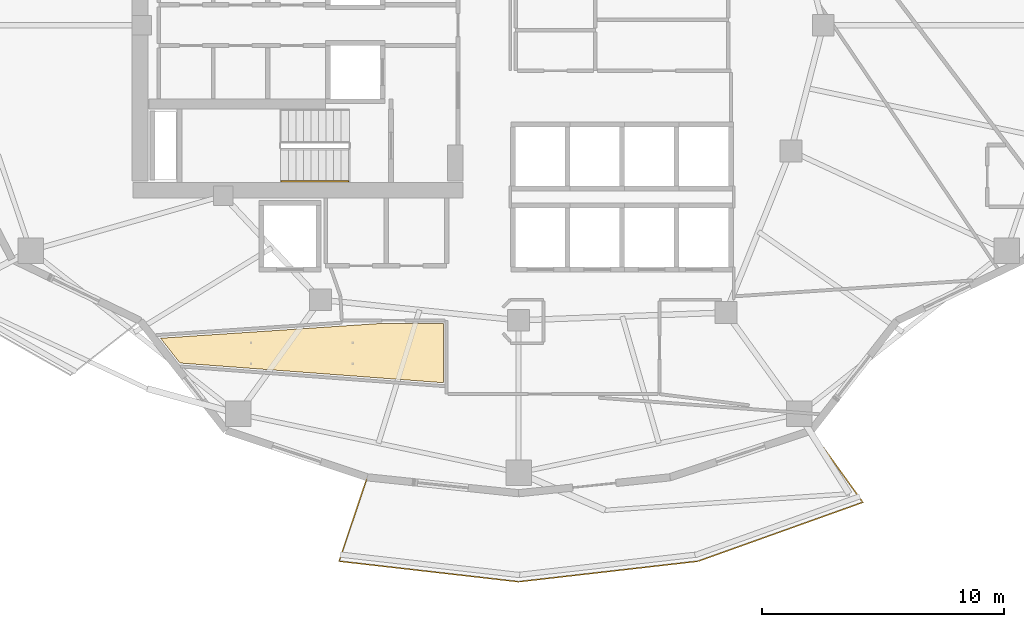
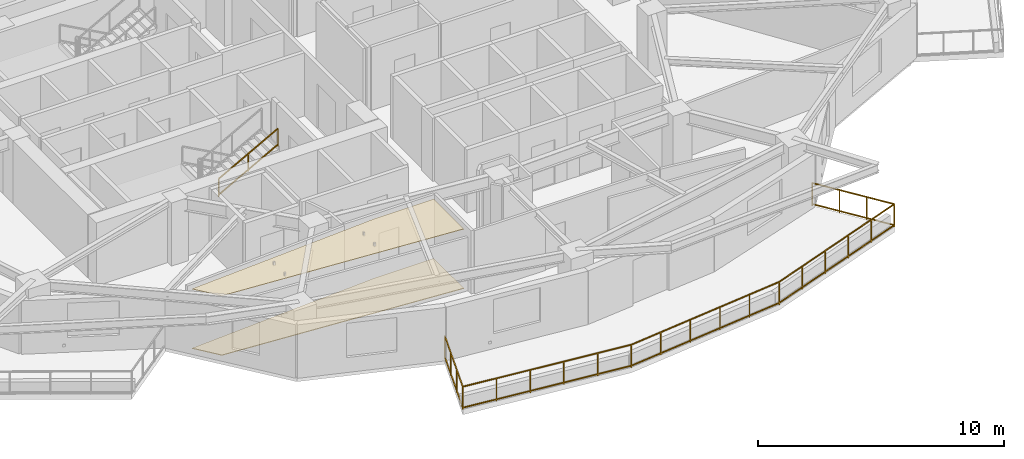
# One storey, part 13 of 17: 2 coverings, 2 railings.
"""IFC4 building model written with IfcOpenShell, lengths in metres."""

from ifc_helpers import new_model, si_unit, direction, frame, origin, origin_2d, place, context, subcontext, project, spatial, polyline, rectangle, outline, extrude, material, layer, layer_set, type_object, element, save


model = new_model("IFC4")

# Units and contexts
model_context = context("Model", 3, precision=1e-05, world=origin(), true_north=direction((0.0, 1.0)))
body_context = subcontext(model_context, "Body", "Model", "MODEL_VIEW")
ifc_project = project(units=[si_unit("LENGTHUNIT", "METRE"), si_unit("AREAUNIT", "SQUARE_METRE"), si_unit("VOLUMEUNIT", "CUBIC_METRE"), si_unit("PLANEANGLEUNIT", "RADIAN"), si_unit("MASSUNIT", "GRAM", prefix="KILO")], contexts=[model_context])

# Site, building, storey
site_placement = place(None, origin())
site = spatial("IfcSite", under=ifc_project, at=site_placement, CompositionType="ELEMENT")
building_placement = place(site_placement, origin())
building = spatial("IfcBuilding", under=site, at=building_placement, Name="Kolvaren Gate Tower and Convention Centre", CompositionType="ELEMENT")
storey_placement = place(building_placement, frame((0.0, 0.0, 125.699951171875)))
storey = spatial("IfcBuildingStorey", under=building, at=storey_placement, Name="L31", CompositionType="ELEMENT", Elevation=125.699951171875)

# Coverings
ifc_material_1 = material(Name="Perforated Mineral-Fibre Acoustic Ceiling Tile 24 mm", Category="gypsum")
ifc_layer_1 = layer(ifc_material_1, 0.02392578125)
ifc_layer_set_1 = layer_set([ifc_layer_1], Name="Perforated Mineral-Fibre Acoustic Ceiling Tile 24 mm")
covering_type_1 = type_object("IfcCoveringType", Name="ARCH-COV-CEIL-24", PredefinedType="CEILING", material=ifc_layer_set_1)
covering_1_placement = place(storey_placement, frame((0.0, 0.0, 2.949951171875)))
element("IfcCovering", 1, at=covering_1_placement, inside=storey, type_object=covering_type_1, Name="Executive Seminar Conference Room Acoustic Suspended Ceiling", PredefinedType="CEILING", context=body_context, shape_type="SweptSolid", body=[
    extrude(outline(polyline([(16.1259765625, 13.032958984375), (15.322021484375, 14.06005859375), (24.277099609375, 14.659912109375), (27.010009765625, 14.659912109375), (27.010009765625, 12.219970703125), (16.1259765625, 13.032958984375)])), origin(), (0.0, 0.0, 1.0), 0.024169921875),
])
ifc_material_2 = material(Name="Honed Sabana Limestone Terrazzo Flooring 30 mm", Category="masonry")
ifc_layer_2 = layer(ifc_material_2, 0.030029296875)
ifc_layer_set_2 = layer_set([ifc_layer_2], Name="Honed Sabana Limestone Terrazzo Flooring 30 mm")
covering_type_2 = type_object("IfcCoveringType", Name="ARCH-COV-FLR-30", PredefinedType="FLOORING", material=ifc_layer_set_2)
covering_2_placement = place(storey_placement, origin())
element("IfcCovering", 2, at=covering_2_placement, inside=storey, type_object=covering_type_2, Name="Executive Seminar Conference Room Interior Finish Flooring", PredefinedType="FLOORING", context=body_context, shape_type="SweptSolid", body=[
    extrude(outline(polyline([(16.1259765625, 13.032958984375), (15.322021484375, 14.06005859375), (24.277099609375, 14.659912109375), (27.010009765625, 14.659912109375), (27.010009765625, 12.219970703125), (16.1259765625, 13.032958984375)])), origin(), (0.0, 0.0, 1.0), 0.030029296875),
])

# Railings
ifc_material_3 = material(Name="Brushed Stainless Steel Grade 316L", Category="steel")
railing_type_1 = type_object("IfcRailingType", Name="ARCH-RL-GUARD-1150", PredefinedType="GUARDRAIL", material=ifc_material_3)
railing_1_placement = place(storey_placement, frame((23.86474609375, 8.309326171875, 0.0)))
element("IfcRailing", 3, at=railing_1_placement, inside=storey, type_object=railing_type_1, Name="Tower L31 Terrace Perimeter Guardrail GR-3", PredefinedType="GUARDRAIL", context=body_context, shape_type="SweptSolid", body=[
    extrude(rectangle(XDim=0.048095703125, YDim=0.048095703125, at=origin_2d()), frame((-0.0087890625, -0.026611328125, 1.1259765625), z_axis=(-0.317588247294, -0.948228719867, 0.0), x_axis=(0.948228719867, -0.317588247294, 0.0)), (0.0, 0.0, 1.0), 3.603759765625),
    extrude(rectangle(XDim=0.048095703125, YDim=0.048095703125, at=origin_2d()), frame((-0.0087890625, -0.026611328125, 0.083984375), z_axis=(-0.317588247294, -0.948228719867, 0.0), x_axis=(0.948228719867, -0.317588247294, 0.0)), (0.0, 0.0, 1.0), 3.603759765625),
    extrude(rectangle(XDim=0.048095703125, YDim=0.048095703125, at=origin_2d()), frame((-1.134521484375, -3.4736328125, 1.1259765625), z_axis=(0.993523927361, -0.113623086387, 0.0), x_axis=(0.113623086387, 0.993523927361, 0.0)), (0.0, 0.0, 1.0), 7.414794921875),
    extrude(rectangle(XDim=0.048095703125, YDim=0.048095703125, at=origin_2d()), frame((-1.134521484375, -3.4736328125, 0.083984375), z_axis=(0.993523927361, -0.113623086387, 0.0), x_axis=(0.113623086387, 0.993523927361, 0.0)), (0.0, 0.0, 1.0), 7.414794921875),
    extrude(rectangle(XDim=0.048095703125, YDim=0.048095703125, at=origin_2d()), frame((6.2880859375, -4.316162109375, 1.1259765625), z_axis=(0.993523927361, 0.113623086387, 0.0), x_axis=(-0.113623086387, 0.993523927361, 0.0)), (0.0, 0.0, 1.0), 7.414794921875),
    extrude(rectangle(XDim=0.048095703125, YDim=0.048095703125, at=origin_2d()), frame((6.2880859375, -4.316162109375, 0.083984375), z_axis=(0.993523927361, 0.113623086387, 0.0), x_axis=(-0.113623086387, 0.993523927361, 0.0)), (0.0, 0.0, 1.0), 7.414794921875),
    extrude(rectangle(XDim=0.048095703125, YDim=0.048095703125, at=origin_2d()), frame((13.709228515625, -3.4609375, 1.1259765625), z_axis=(0.941628873241, 0.336652736627, 0.0), x_axis=(-0.336652736627, 0.941628873241, 0.0)), (0.0, 0.0, 1.0), 7.17919921875),
    extrude(rectangle(XDim=0.048095703125, YDim=0.048095703125, at=origin_2d()), frame((13.709228515625, -3.4609375, 0.083984375), z_axis=(0.941628873241, 0.336652736627, 0.0), x_axis=(-0.336652736627, 0.941628873241, 0.0)), (0.0, 0.0, 1.0), 7.17919921875),
    extrude(rectangle(XDim=0.048095703125, YDim=0.048095703125, at=origin_2d()), frame((20.4794921875, -1.011962890625, 1.1259765625), z_axis=(-0.585212870465, 0.810879705161, 0.0), x_axis=(-0.810879705161, -0.585212870465, 0.0)), (0.0, 0.0, 1.0), 3.603759765625),
    extrude(rectangle(XDim=0.048095703125, YDim=0.048095703125, at=origin_2d()), frame((20.4794921875, -1.011962890625, 0.083984375), z_axis=(-0.585212870465, 0.810879705161, 0.0), x_axis=(-0.810879705161, -0.585212870465, 0.0)), (0.0, 0.0, 1.0), 3.603759765625),
    extrude(rectangle(XDim=0.0419921875, YDim=0.0419921875, at=origin_2d()), origin(), (0.0, 0.0, 1.0), 1.14990234375),
    extrude(rectangle(XDim=0.0419921875, YDim=0.0419921875, at=origin_2d()), frame((-1.162353515625, -3.470458984375, 0.0)), (0.0, 0.0, 1.0), 1.14990234375),
    extrude(rectangle(XDim=0.0419921875, YDim=0.0419921875, at=origin_2d()), frame((-0.387451171875, -1.15673828125, 0.0)), (0.0, 0.0, 1.0), 1.099853515625),
    extrude(rectangle(XDim=0.0419921875, YDim=0.0419921875, at=origin_2d()), frame((-0.77490234375, -2.313720703125, 0.0)), (0.0, 0.0, 1.0), 1.099853515625),
    extrude(rectangle(XDim=0.0419921875, YDim=0.0419921875, at=origin_2d()), frame((6.26025390625, -4.3193359375, 0.0)), (0.0, 0.0, 1.0), 1.14990234375),
    extrude(rectangle(XDim=0.0419921875, YDim=0.0419921875, at=origin_2d()), frame((0.322265625, -3.64013671875, 0.0)), (0.0, 0.0, 1.0), 1.099853515625),
    extrude(rectangle(XDim=0.0419921875, YDim=0.0419921875, at=origin_2d()), frame((1.806640625, -3.81005859375, 0.0)), (0.0, 0.0, 1.0), 1.099853515625),
    extrude(rectangle(XDim=0.0419921875, YDim=0.0419921875, at=origin_2d()), frame((3.291259765625, -3.979736328125, 0.0)), (0.0, 0.0, 1.0), 1.099853515625),
    extrude(rectangle(XDim=0.0419921875, YDim=0.0419921875, at=origin_2d()), frame((4.775634765625, -4.149658203125, 0.0)), (0.0, 0.0, 1.0), 1.099853515625),
    extrude(rectangle(XDim=0.0419921875, YDim=0.0419921875, at=origin_2d()), frame((13.682861328125, -3.470458984375, 0.0)), (0.0, 0.0, 1.0), 1.14990234375),
    extrude(rectangle(XDim=0.0419921875, YDim=0.0419921875, at=origin_2d()), frame((7.744873046875, -4.149658203125, 0.0)), (0.0, 0.0, 1.0), 1.099853515625),
    extrude(rectangle(XDim=0.0419921875, YDim=0.0419921875, at=origin_2d()), frame((9.229248046875, -3.979736328125, 0.0)), (0.0, 0.0, 1.0), 1.099853515625),
    extrude(rectangle(XDim=0.0419921875, YDim=0.0419921875, at=origin_2d()), frame((10.7138671875, -3.81005859375, 0.0)), (0.0, 0.0, 1.0), 1.099853515625),
    extrude(rectangle(XDim=0.0419921875, YDim=0.0419921875, at=origin_2d()), frame((12.1982421875, -3.64013671875, 0.0)), (0.0, 0.0, 1.0), 1.099853515625),
    extrude(rectangle(XDim=0.0419921875, YDim=0.0419921875, at=origin_2d()), frame((20.495849609375, -1.03466796875, 0.0)), (0.0, 0.0, 1.0), 1.14990234375),
    extrude(rectangle(XDim=0.0419921875, YDim=0.0419921875, at=origin_2d()), frame((15.04541015625, -2.9833984375, 0.0)), (0.0, 0.0, 1.0), 1.099853515625),
    extrude(rectangle(XDim=0.0419921875, YDim=0.0419921875, at=origin_2d()), frame((16.407958984375, -2.49609375, 0.0)), (0.0, 0.0, 1.0), 1.099853515625),
    extrude(rectangle(XDim=0.0419921875, YDim=0.0419921875, at=origin_2d()), frame((17.770751953125, -2.009033203125, 0.0)), (0.0, 0.0, 1.0), 1.099853515625),
    extrude(rectangle(XDim=0.0419921875, YDim=0.0419921875, at=origin_2d()), frame((19.13330078125, -1.521728515625, 0.0)), (0.0, 0.0, 1.0), 1.099853515625),
    extrude(rectangle(XDim=0.0419921875, YDim=0.0419921875, at=origin_2d()), frame((18.35400390625, 1.93310546875, 0.0)), (0.0, 0.0, 1.0), 1.14990234375),
    extrude(rectangle(XDim=0.0419921875, YDim=0.0419921875, at=origin_2d()), frame((19.781982421875, -0.04541015625, 0.0)), (0.0, 0.0, 1.0), 1.099853515625),
    extrude(rectangle(XDim=0.0419921875, YDim=0.0419921875, at=origin_2d()), frame((19.06787109375, 0.94384765625, 0.0)), (0.0, 0.0, 1.0), 1.099853515625),
])
railing_type_2 = type_object("IfcRailingType", Name="ARCH-RL-HANDRAIL-920", PredefinedType="HANDRAIL", material=ifc_material_3)
railing_2_placement = place(storey_placement, frame((20.31005859375, 20.550048828125, 1.8701171875)))
element("IfcRailing", 4, at=railing_2_placement, inside=storey, type_object=railing_type_2, Name="L31 ST-T2 stair handrail 2", PredefinedType="HANDRAIL", context=body_context, shape_type="SweptSolid", body=[
    extrude(rectangle(XDim=0.048095703125, YDim=0.048095703125, at=origin_2d()), frame((0.0, 0.0, 0.8759765625), z_axis=(0.876811365212, 0.0, 0.480834513982), x_axis=(0.0, 1.0, 0.0)), (0.0, 0.0, 1.0), 3.18212890625),
    extrude(rectangle(XDim=0.048095703125, YDim=0.048095703125, at=origin_2d()), frame((0.0, 0.0, 0.083984375), z_axis=(0.876811365212, 0.0, 0.480834513982), x_axis=(0.0, 1.0, 0.0)), (0.0, 0.0, 1.0), 3.18212890625),
    extrude(rectangle(XDim=0.0419921875, YDim=0.0419921875, at=origin_2d()), origin(), (0.0, 0.0, 1.0), 0.849853515625),
    extrude(rectangle(XDim=0.0419921875, YDim=0.0419921875, at=origin_2d()), frame((2.7900390625, 0.0, 1.530029296875)), (0.0, 0.0, 1.0), 0.849853515625),
    extrude(rectangle(XDim=0.0419921875, YDim=0.0419921875, at=origin_2d()), frame((1.39501953125, 0.0, 0.76513671875)), (0.0, 0.0, 1.0), 0.849853515625),
])

save(model, "model.ifc")
